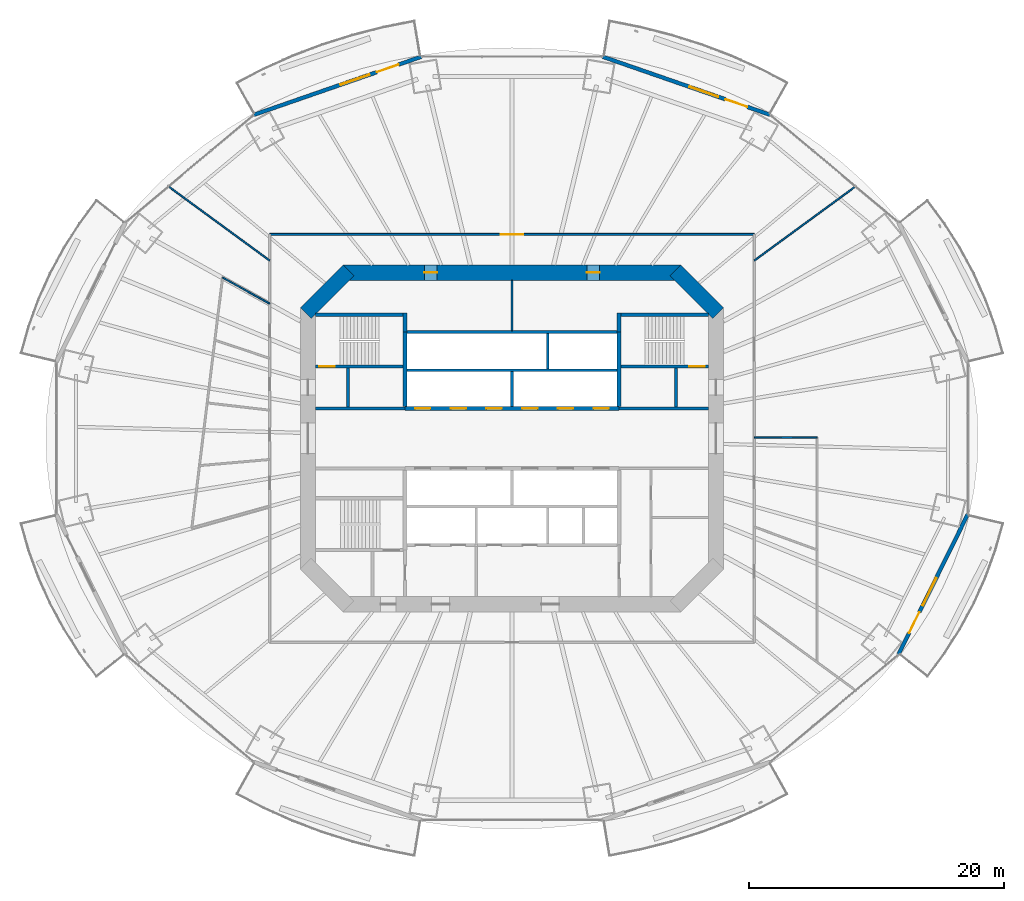
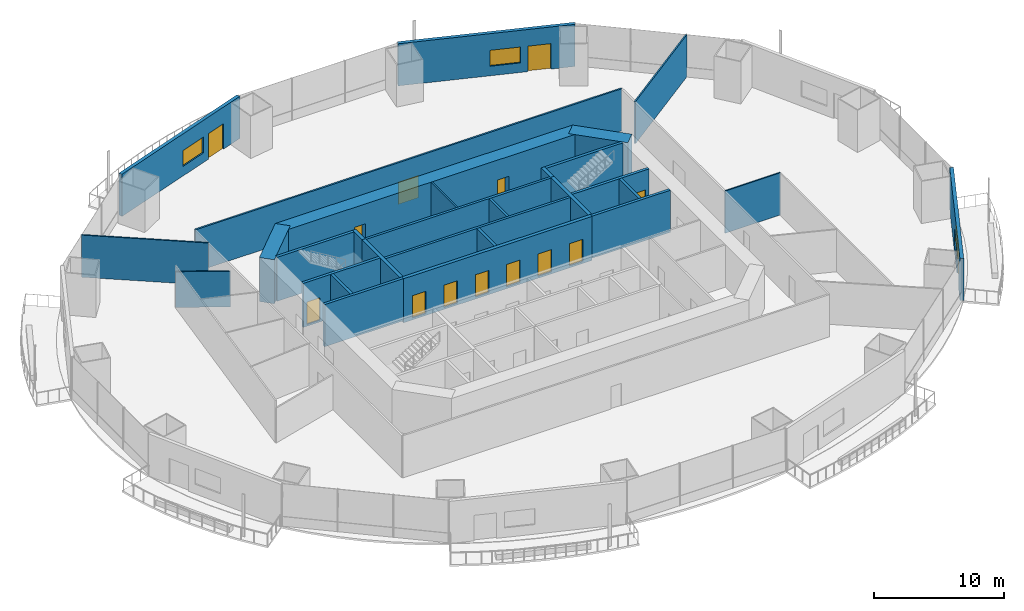
# One storey, part 16 of 23: 29 walls, 14 doors, 3 windows, 17 openings.
"""IFC4 building model written with IfcOpenShell, lengths in metres."""

from ifc_helpers import new_model, si_unit, direction, frame, frame_2d, origin, place, context, subcontext, project, spatial, rectangle, extrude, material, layer, layer_set, type_object, element, fill, save


model = new_model("IFC4")

# Units and contexts
model_context = context("Model", 3, precision=1e-05, world=origin(), true_north=direction((0.0, 1.0)))
body_context = subcontext(model_context, "Body", "Model", "MODEL_VIEW")
ifc_project = project(units=[si_unit("LENGTHUNIT", "METRE"), si_unit("AREAUNIT", "SQUARE_METRE"), si_unit("VOLUMEUNIT", "CUBIC_METRE"), si_unit("PLANEANGLEUNIT", "RADIAN"), si_unit("MASSUNIT", "GRAM", prefix="KILO")], contexts=[model_context])

# Site, building, storey
site_placement = place(None, origin())
site = spatial("IfcSite", under=ifc_project, at=site_placement, CompositionType="ELEMENT")
building_placement = place(site_placement, origin())
building = spatial("IfcBuilding", under=site, at=building_placement, Name="Marenthal Gate Tower", CompositionType="ELEMENT")
storey_placement = place(building_placement, frame((0.0, 0.0, 49.60009765625)))
storey = spatial("IfcBuildingStorey", under=building, at=storey_placement, Name="L08", CompositionType="ELEMENT", Elevation=49.60009765625)

# Wall
ifc_material_1 = material(Name="Concrete 60 MPa", Category="concrete")
ifc_layer_1 = layer(ifc_material_1, 1.199951171875)
ifc_layer_set_1 = layer_set([ifc_layer_1], Name="Core shear wall 1200")
wall_type_1 = type_object("IfcWallType", Name="Core shear wall 1200", PredefinedType="SHEAR", material=ifc_layer_set_1)
wall_1_placement = place(storey_placement, frame((16.17578125, 9.82421875, -0.18017578125), z_axis=(0.0, 0.0, 1.0), x_axis=(-0.707106781187, 0.707106781187, 0.0)))
element("IfcWall", 1, at=wall_1_placement, inside=storey, type_object=wall_type_1, Name="Core wall 03", PredefinedType="SHEAR", context=body_context, shape_type="SweptSolid", body=[
    extrude(rectangle(XDim=4.73974609375, YDim=1.199951171875, at=frame_2d((2.369873046875, 0.0))), origin(), (0.0, 0.0, 1.0), 4.150146484375),
])

# Wall, openings, doors
wall_2_placement = place(storey_placement, frame((13.24853515625, 13.0, -0.18017578125), z_axis=(0.0, 0.0, 1.0), x_axis=(-1.0, 0.0, 0.0)))
wall_2 = element("IfcWall", 2, at=wall_2_placement, inside=storey, type_object=wall_type_1, Name="Core wall 04", PredefinedType="SHEAR", context=body_context, shape_type="SweptSolid", body=[
    extrude(rectangle(XDim=26.4970703125, YDim=1.199951171875, at=frame_2d((13.24853515625, 0.0))), origin(), (0.0, 0.0, 1.0), 4.150146484375),
])
opening_1_placement = place(wall_2_placement, frame((19.12451171875, 0.0, 0.179931640625)))
opening_1 = element("IfcOpeningElement", 3, at=opening_1_placement, cuts=wall_2, Name="Opening D005.01", PredefinedType="OPENING", context=body_context, shape_type="SweptSolid", body=[
    extrude(rectangle(XDim=1.0, YDim=2.10009765625, at=frame_2d((0.5, 1.050048828125))), frame((0.0, 0.60986328125, 0.0), z_axis=(0.0, -1.0, 0.0), x_axis=(1.0, 0.0, 0.0)), (0.0, 0.0, 1.0), 1.219970703125),
])
opening_2_placement = place(wall_2_placement, frame((6.37255859375, 0.0, 0.179931640625)))
opening_2 = element("IfcOpeningElement", 4, at=opening_2_placement, cuts=wall_2, Name="Opening D005.02", PredefinedType="OPENING", context=body_context, shape_type="SweptSolid", body=[
    extrude(rectangle(XDim=1.0, YDim=2.10009765625, at=frame_2d((0.5, 1.050048828125))), frame((0.0, 0.60986328125, 0.0), z_axis=(0.0, -1.0, 0.0), x_axis=(1.0, 0.0, 0.0)), (0.0, 0.0, 1.0), 1.219970703125),
])
ifc_material_2 = material(Name="Steel fire door", Category="steel")
door_type_1 = type_object("IfcDoorType", Name="Fire door FD 45 1000 x 2100", OperationType="NOTDEFINED", PredefinedType="DOOR", material=ifc_material_2)
door_1_placement = place(opening_1_placement, origin())
door_1 = element("IfcDoor", 5, at=door_1_placement, inside=storey, type_object=door_type_1, Name="Door D005.01", OperationType="SINGLE_SWING_RIGHT", OverallHeight=2.10009765625, OverallWidth=1.0, PredefinedType="DOOR", context=body_context, shape_type="SweptSolid", body=[
    extrude(rectangle(XDim=1.0, YDim=2.10009765625, at=frame_2d((0.5, 1.050048828125))), frame((0.0, 0.02490234375, 0.0), z_axis=(0.0, -1.0, 0.0), x_axis=(1.0, 0.0, 0.0)), (0.0, 0.0, 1.0), 0.050048828125),
])
fill(opening_1, door_1)
door_2_placement = place(opening_2_placement, origin())
door_2 = element("IfcDoor", 6, at=door_2_placement, inside=storey, type_object=door_type_1, Name="Door D005.02", OperationType="SINGLE_SWING_RIGHT", OverallHeight=2.10009765625, OverallWidth=1.0, PredefinedType="DOOR", context=body_context, shape_type="SweptSolid", body=[
    extrude(rectangle(XDim=1.0, YDim=2.10009765625, at=frame_2d((0.5, 1.050048828125))), frame((0.0, 0.02490234375, 0.0), z_axis=(0.0, -1.0, 0.0), x_axis=(1.0, 0.0, 0.0)), (0.0, 0.0, 1.0), 0.050048828125),
])
fill(opening_2, door_2)

# Wall
wall_3_placement = place(storey_placement, frame((-12.82421875, 13.17578125, -0.18017578125), z_axis=(0.0, 0.0, 1.0), x_axis=(-0.707106781187, -0.707106781187, 0.0)))
element("IfcWall", 7, at=wall_3_placement, inside=storey, type_object=wall_type_1, Name="Core wall 05", PredefinedType="SHEAR", context=body_context, shape_type="SweptSolid", body=[
    extrude(rectangle(XDim=4.73974609375, YDim=1.199951171875, at=frame_2d((2.369873046875, 0.0))), origin(), (0.0, 0.0, 1.0), 4.150146484375),
])

# Wall, openings, doors
ifc_material_3 = material(Name="Concrete 50 MPa", Category="concrete")
ifc_layer_2 = layer(ifc_material_3, 0.300048828125)
ifc_layer_set_2 = layer_set([ifc_layer_2], Name="Hoistway shear wall 300")
wall_type_2 = type_object("IfcWallType", Name="Hoistway shear wall 300", PredefinedType="SHEAR", material=ifc_layer_set_2)
wall_4_placement = place(storey_placement, frame((-8.39990234375, 2.35009765625, -0.18017578125), z_axis=(0.0, 0.0, 1.0), x_axis=(1.0, 0.0, 0.0)))
wall_4 = element("IfcWall", 8, at=wall_4_placement, inside=storey, type_object=wall_type_2, Name="Hoistway wall 19", PredefinedType="SHEAR", context=body_context, shape_type="SweptSolid", body=[
    extrude(rectangle(XDim=16.7998046875, YDim=0.300048828125, at=frame_2d((8.39990234375, 0.0))), origin(), (0.0, 0.0, 1.0), 4.150146484375),
])
opening_3_placement = place(wall_4_placement, frame((0.800048828125, 0.0, 0.179931640625)))
opening_3 = element("IfcOpeningElement", 9, at=opening_3_placement, cuts=wall_4, Name="Opening LD-LP1", PredefinedType="OPENING", context=body_context, shape_type="SweptSolid", body=[
    extrude(rectangle(XDim=1.199951171875, YDim=2.10009765625, at=frame_2d((0.60009765625, 1.050048828125))), frame((0.0, 0.16015625, 0.0), z_axis=(0.0, -1.0, 0.0), x_axis=(1.0, 0.0, 0.0)), (0.0, 0.0, 1.0), 0.320068359375),
])
opening_4_placement = place(wall_4_placement, frame((3.60009765625, 0.0, 0.179931640625)))
opening_4 = element("IfcOpeningElement", 10, at=opening_4_placement, cuts=wall_4, Name="Opening LD-LP2", PredefinedType="OPENING", context=body_context, shape_type="SweptSolid", body=[
    extrude(rectangle(XDim=1.199951171875, YDim=2.10009765625, at=frame_2d((0.60009765625, 1.050048828125))), frame((0.0, 0.16015625, 0.0), z_axis=(0.0, -1.0, 0.0), x_axis=(1.0, 0.0, 0.0)), (0.0, 0.0, 1.0), 0.320068359375),
])
opening_5_placement = place(wall_4_placement, frame((6.39990234375, 0.0, 0.179931640625)))
opening_5 = element("IfcOpeningElement", 11, at=opening_5_placement, cuts=wall_4, Name="Opening LD-LP3", PredefinedType="OPENING", context=body_context, shape_type="SweptSolid", body=[
    extrude(rectangle(XDim=1.199951171875, YDim=2.10009765625, at=frame_2d((0.60009765625, 1.050048828125))), frame((0.0, 0.16015625, 0.0), z_axis=(0.0, -1.0, 0.0), x_axis=(1.0, 0.0, 0.0)), (0.0, 0.0, 1.0), 0.320068359375),
])
opening_6_placement = place(wall_4_placement, frame((9.199951171875, 0.0, 0.179931640625)))
opening_6 = element("IfcOpeningElement", 12, at=opening_6_placement, cuts=wall_4, Name="Opening LD-LP4", PredefinedType="OPENING", context=body_context, shape_type="SweptSolid", body=[
    extrude(rectangle(XDim=1.199951171875, YDim=2.10009765625, at=frame_2d((0.60009765625, 1.050048828125))), frame((0.0, 0.16015625, 0.0), z_axis=(0.0, -1.0, 0.0), x_axis=(1.0, 0.0, 0.0)), (0.0, 0.0, 1.0), 0.320068359375),
])
opening_7_placement = place(wall_4_placement, frame((12.0, 0.0, 0.179931640625)))
opening_7 = element("IfcOpeningElement", 13, at=opening_7_placement, cuts=wall_4, Name="Opening LD-LP5", PredefinedType="OPENING", context=body_context, shape_type="SweptSolid", body=[
    extrude(rectangle(XDim=1.199951171875, YDim=2.10009765625, at=frame_2d((0.60009765625, 1.050048828125))), frame((0.0, 0.16015625, 0.0), z_axis=(0.0, -1.0, 0.0), x_axis=(1.0, 0.0, 0.0)), (0.0, 0.0, 1.0), 0.320068359375),
])
opening_8_placement = place(wall_4_placement, frame((14.800048828125, 0.0, 0.179931640625)))
opening_8 = element("IfcOpeningElement", 14, at=opening_8_placement, cuts=wall_4, Name="Opening LD-LP6", PredefinedType="OPENING", context=body_context, shape_type="SweptSolid", body=[
    extrude(rectangle(XDim=1.199951171875, YDim=2.10009765625, at=frame_2d((0.60009765625, 1.050048828125))), frame((0.0, 0.16015625, 0.0), z_axis=(0.0, -1.0, 0.0), x_axis=(1.0, 0.0, 0.0)), (0.0, 0.0, 1.0), 0.320068359375),
])
ifc_material_4 = material(Name="Stainless steel sliding door", Category="steel")
door_type_2 = type_object("IfcDoorType", Name="Lift landing door FD 90 1200 x 2100", OperationType="DOUBLE_DOOR_SLIDING", PredefinedType="DOOR", material=ifc_material_4)
door_3_placement = place(opening_3_placement, origin())
door_3 = element("IfcDoor", 15, at=door_3_placement, inside=storey, type_object=door_type_2, Name="Lift landing door LP1", OperationType="DOUBLE_DOOR_SLIDING", OverallHeight=2.10009765625, OverallWidth=1.199951171875, PredefinedType="DOOR", context=body_context, shape_type="SweptSolid", body=[
    extrude(rectangle(XDim=1.199951171875, YDim=2.10009765625, at=frame_2d((0.60009765625, 1.050048828125))), frame((0.0, 0.02490234375, 0.0), z_axis=(0.0, -1.0, 0.0), x_axis=(1.0, 0.0, 0.0)), (0.0, 0.0, 1.0), 0.050048828125),
])
fill(opening_3, door_3)
door_4_placement = place(opening_4_placement, origin())
door_4 = element("IfcDoor", 16, at=door_4_placement, inside=storey, type_object=door_type_2, Name="Lift landing door LP2", OperationType="DOUBLE_DOOR_SLIDING", OverallHeight=2.10009765625, OverallWidth=1.199951171875, PredefinedType="DOOR", context=body_context, shape_type="SweptSolid", body=[
    extrude(rectangle(XDim=1.199951171875, YDim=2.10009765625, at=frame_2d((0.60009765625, 1.050048828125))), frame((0.0, 0.02490234375, 0.0), z_axis=(0.0, -1.0, 0.0), x_axis=(1.0, 0.0, 0.0)), (0.0, 0.0, 1.0), 0.050048828125),
])
fill(opening_4, door_4)
door_5_placement = place(opening_5_placement, origin())
door_5 = element("IfcDoor", 17, at=door_5_placement, inside=storey, type_object=door_type_2, Name="Lift landing door LP3", OperationType="DOUBLE_DOOR_SLIDING", OverallHeight=2.10009765625, OverallWidth=1.199951171875, PredefinedType="DOOR", context=body_context, shape_type="SweptSolid", body=[
    extrude(rectangle(XDim=1.199951171875, YDim=2.10009765625, at=frame_2d((0.60009765625, 1.050048828125))), frame((0.0, 0.02490234375, 0.0), z_axis=(0.0, -1.0, 0.0), x_axis=(1.0, 0.0, 0.0)), (0.0, 0.0, 1.0), 0.050048828125),
])
fill(opening_5, door_5)
door_6_placement = place(opening_6_placement, origin())
door_6 = element("IfcDoor", 18, at=door_6_placement, inside=storey, type_object=door_type_2, Name="Lift landing door LP4", OperationType="DOUBLE_DOOR_SLIDING", OverallHeight=2.10009765625, OverallWidth=1.199951171875, PredefinedType="DOOR", context=body_context, shape_type="SweptSolid", body=[
    extrude(rectangle(XDim=1.199951171875, YDim=2.10009765625, at=frame_2d((0.60009765625, 1.050048828125))), frame((0.0, 0.02490234375, 0.0), z_axis=(0.0, -1.0, 0.0), x_axis=(1.0, 0.0, 0.0)), (0.0, 0.0, 1.0), 0.050048828125),
])
fill(opening_6, door_6)
door_7_placement = place(opening_7_placement, origin())
door_7 = element("IfcDoor", 19, at=door_7_placement, inside=storey, type_object=door_type_2, Name="Lift landing door LP5", OperationType="DOUBLE_DOOR_SLIDING", OverallHeight=2.10009765625, OverallWidth=1.199951171875, PredefinedType="DOOR", context=body_context, shape_type="SweptSolid", body=[
    extrude(rectangle(XDim=1.199951171875, YDim=2.10009765625, at=frame_2d((0.60009765625, 1.050048828125))), frame((0.0, 0.02490234375, 0.0), z_axis=(0.0, -1.0, 0.0), x_axis=(1.0, 0.0, 0.0)), (0.0, 0.0, 1.0), 0.050048828125),
])
fill(opening_7, door_7)
door_8_placement = place(opening_8_placement, origin())
door_8 = element("IfcDoor", 20, at=door_8_placement, inside=storey, type_object=door_type_2, Name="Lift landing door LP6", OperationType="DOUBLE_DOOR_SLIDING", OverallHeight=2.10009765625, OverallWidth=1.199951171875, PredefinedType="DOOR", context=body_context, shape_type="SweptSolid", body=[
    extrude(rectangle(XDim=1.199951171875, YDim=2.10009765625, at=frame_2d((0.60009765625, 1.050048828125))), frame((0.0, 0.02490234375, 0.0), z_axis=(0.0, -1.0, 0.0), x_axis=(1.0, 0.0, 0.0)), (0.0, 0.0, 1.0), 0.050048828125),
])
fill(opening_8, door_8)

# Walls
for number, where, z_axis, x_axis, name in (
    (21, (-8.39990234375, 2.5, -0.18017578125), (0.0, 0.0, 1.0), (0.0, 1.0, 0.0), "Hoistway wall 31"),
    (22, (8.39990234375, 2.5, -0.18017578125), (0.0, 0.0, 1.0), (0.0, 1.0, 0.0), "Hoistway wall 43"),
):
    element("IfcWall", number, at=place(storey_placement, frame(where, z_axis=z_axis, x_axis=x_axis)), inside=storey, type_object=wall_type_2, Name=name, PredefinedType="SHEAR", context=body_context, shape_type="SweptSolid", body=[
        extrude(rectangle(XDim=5.85009765625, YDim=0.300048828125, at=frame_2d((2.925048828125, 0.0))), origin(), (0.0, 0.0, 1.0), 4.150146484375),
    ])
ifc_material_5 = material(Name="Concrete 40 MPa", Category="concrete")
ifc_layer_3 = layer(ifc_material_5, 0.219970703125)
ifc_layer_set_3 = layer_set([ifc_layer_3], Name="Hoistway wall 220")
wall_type_3 = type_object("IfcWallType", Name="Hoistway wall 220", PredefinedType="STANDARD", material=ifc_layer_set_3)
for number, where, z_axis, x_axis, name in (
    (23, (-8.25, 5.35009765625, 0.0), (0.0, 0.0, 1.0), (1.0, 0.0, 0.0), "Hoistway wall 21"),
    (24, (-8.25, 8.35009765625, 0.0), (0.0, 0.0, 1.0), (1.0, 0.0, 0.0), "Hoistway wall 24"),
):
    element("IfcWall", number, at=place(storey_placement, frame(where, z_axis=z_axis, x_axis=x_axis)), inside=storey, type_object=wall_type_3, Name=name, PredefinedType="STANDARD", context=body_context, shape_type="SweptSolid", body=[
        extrude(rectangle(XDim=16.5, YDim=0.219970703125, at=frame_2d((8.25, 0.0))), origin(), (0.0, 0.0, 1.0), 3.969970703125),
    ])
wall_5_placement = place(storey_placement, frame((0.0, 2.5, 0.0), z_axis=(0.0, 0.0, 1.0), x_axis=(0.0, 1.0, 0.0)))
element("IfcWall", 25, at=wall_5_placement, inside=storey, type_object=wall_type_3, Name="Hoistway wall 36", PredefinedType="STANDARD", context=body_context, shape_type="SweptSolid", body=[
    extrude(rectangle(XDim=2.739990234375, YDim=0.219970703125, at=frame_2d((1.3701171875, 0.0))), origin(), (0.0, 0.0, 1.0), 3.969970703125),
])
wall_6_placement = place(storey_placement, frame((2.800048828125, 5.4599609375, 0.0), z_axis=(0.0, 0.0, 1.0), x_axis=(0.0, 1.0, 0.0)))
element("IfcWall", 26, at=wall_6_placement, inside=storey, type_object=wall_type_3, Name="Hoistway wall 39", PredefinedType="STANDARD", context=body_context, shape_type="SweptSolid", body=[
    extrude(rectangle(XDim=2.780029296875, YDim=0.219970703125, at=frame_2d((1.39013671875, 0.0))), origin(), (0.0, 0.0, 1.0), 3.969970703125),
])
ifc_material_6 = material(Name="Gypsum board on steel studs", Category="steel")
ifc_layer_4 = layer(ifc_material_6, 0.1201171875)
ifc_layer_set_4 = layer_set([ifc_layer_4], Name="Partition 120")
wall_type_4 = type_object("IfcWallType", Name="Partition 120", PredefinedType="PARTITIONING", material=ifc_layer_set_4)
wall_7_placement = place(storey_placement, frame((-22.6953125, 12.618896484375, 0.0), z_axis=(0.0, 0.0, 1.0), x_axis=(0.87398290434, -0.485956667741, 0.0)))
element("IfcWall", 27, at=wall_7_placement, inside=storey, type_object=wall_type_4, Name="Partition wall 51", PredefinedType="PARTITIONING", context=body_context, shape_type="SweptSolid", body=[
    extrude(rectangle(XDim=4.22802734375, YDim=0.1201171875, at=frame_2d((2.114013671875, 0.0))), origin(), (0.0, 0.0, 1.0), 3.35791015625),
])
wall_8_placement = place(storey_placement, frame((-19.0, 13.941162109375, 0.0), z_axis=(0.0, 0.0, 1.0), x_axis=(-0.806231534746, 0.591600128787, 0.0)))
element("IfcWall", 28, at=wall_8_placement, inside=storey, type_object=wall_type_4, Name="Partition wall 54", PredefinedType="PARTITIONING", context=body_context, shape_type="SweptSolid", body=[
    extrude(rectangle(XDim=9.84619140625, YDim=0.1201171875, at=frame_2d((4.923095703125, 0.0))), origin(), (0.0, 0.0, 1.0), 3.969970703125),
])
wall_9_placement = place(storey_placement, frame((19.0, 13.94140625, 0.0), z_axis=(0.0, 0.0, 1.0), x_axis=(0.806243361472, 0.59158401101, 0.0)))
element("IfcWall", 29, at=wall_9_placement, inside=storey, type_object=wall_type_4, Name="Partition wall 58", PredefinedType="PARTITIONING", context=body_context, shape_type="SweptSolid", body=[
    extrude(rectangle(XDim=9.845947265625, YDim=0.1201171875, at=frame_2d((4.9228515625, 0.0))), origin(), (0.0, 0.0, 1.0), 3.969970703125),
])
wall_10_placement = place(storey_placement, frame((23.921630859375, 0.078125, 0.0), z_axis=(0.0, 0.0, 1.0), x_axis=(-0.999994640597, -0.003273954377, 0.0)))
element("IfcWall", 30, at=wall_10_placement, inside=storey, type_object=wall_type_4, Name="Partition wall 62", PredefinedType="PARTITIONING", context=body_context, shape_type="SweptSolid", body=[
    extrude(rectangle(XDim=4.921630859375, YDim=0.1201171875, at=frame_2d((2.4609375, 0.0))), origin(), (0.0, 0.0, 1.0), 3.969970703125),
])
ifc_material_7 = material(Name="Gypsum board on steel studs", Category="steel")
ifc_layer_5 = layer(ifc_material_7, 0.14990234375)
ifc_layer_set_5 = layer_set([ifc_layer_5], Name="Partition 150")
wall_type_5 = type_object("IfcWallType", Name="Partition 150", PredefinedType="PARTITIONING", material=ifc_layer_set_5)
wall_11_placement = place(storey_placement, frame((0.0, 8.4599609375, 0.0), z_axis=(0.0, 0.0, 1.0), x_axis=(0.0, 1.0, 0.0)))
element("IfcWall", 31, at=wall_11_placement, inside=storey, type_object=wall_type_5, Name="Partition wall 37", PredefinedType="PARTITIONING", context=body_context, shape_type="SweptSolid", body=[
    extrude(rectangle(XDim=3.93994140625, YDim=0.14990234375, at=frame_2d((1.969970703125, 0.0))), origin(), (0.0, 0.0, 1.0), 3.969970703125),
])

# Wall, opening, door
wall_12_placement = place(storey_placement, frame((-19.0, 16.0, 0.0), z_axis=(0.0, 0.0, 1.0), x_axis=(1.0, 0.0, 0.0)))
wall_12 = element("IfcWall", 32, at=wall_12_placement, inside=storey, type_object=wall_type_5, Name="Partition wall 55", PredefinedType="PARTITIONING", context=body_context, shape_type="SweptSolid", body=[
    extrude(rectangle(XDim=38.0, YDim=0.14990234375, at=frame_2d((19.0, 0.0))), origin(), (0.0, 0.0, 1.0), 3.969970703125),
])
opening_9_placement = place(wall_12_placement, frame((18.10009765625, 0.0, 0.0)))
opening_9 = element("IfcOpeningElement", 33, at=opening_9_placement, cuts=wall_12, Name="Opening D014.01", PredefinedType="OPENING", context=body_context, shape_type="SweptSolid", body=[
    extrude(rectangle(XDim=1.800048828125, YDim=2.10009765625, at=frame_2d((0.89990234375, 1.050048828125))), frame((0.0, 0.0849609375, 0.0), z_axis=(0.0, -1.0, 0.0), x_axis=(1.0, 0.0, 0.0)), (0.0, 0.0, 1.0), 0.169921875),
])
ifc_material_8 = material(Name="Timber door", Category="wood")
door_type_3 = type_object("IfcDoorType", Name="Double door 1800 x 2100", OperationType="DOUBLE_DOOR_SINGLE_SWING", PredefinedType="DOOR", material=ifc_material_8)
door_9_placement = place(opening_9_placement, origin())
door_9 = element("IfcDoor", 34, at=door_9_placement, inside=storey, type_object=door_type_3, Name="Door D014.01", OperationType="DOUBLE_DOOR_SINGLE_SWING", OverallHeight=2.10009765625, OverallWidth=1.800048828125, PredefinedType="DOOR", context=body_context, shape_type="SweptSolid", body=[
    extrude(rectangle(XDim=1.800048828125, YDim=2.10009765625, at=frame_2d((0.89990234375, 1.050048828125))), frame((0.0, 0.02490234375, 0.0), z_axis=(0.0, -1.0, 0.0), x_axis=(1.0, 0.0, 0.0)), (0.0, 0.0, 1.0), 0.050048828125),
])
fill(opening_9, door_9)

# Walls
ifc_material_9 = material(Name="Concrete 40 MPa", Category="concrete")
ifc_layer_6 = layer(ifc_material_9, 0.25)
ifc_layer_set_6 = layer_set([ifc_layer_6], Name="Stair enclosure wall 250")
wall_type_6 = type_object("IfcWallType", Name="Stair enclosure wall 250", PredefinedType="STANDARD", material=ifc_layer_set_6)
for number, where, z_axis, x_axis, name in (
    (35, (-15.39990234375, 2.35009765625, 0.0), (0.0, 0.0, 1.0), (1.0, 0.0, 0.0), "Stair wall 18"),
    (36, (8.39990234375, 2.35009765625, 0.0), (0.0, 0.0, 1.0), (1.0, 0.0, 0.0), "Stair wall 20"),
):
    element("IfcWall", number, at=place(storey_placement, frame(where, z_axis=z_axis, x_axis=x_axis)), inside=storey, type_object=wall_type_6, Name=name, PredefinedType="STANDARD", context=body_context, shape_type="SweptSolid", body=[
        extrude(rectangle(XDim=7.0, YDim=0.25, at=frame_2d((3.5, 0.0))), origin(), (0.0, 0.0, 1.0), 3.969970703125),
    ])
for number, where, z_axis, x_axis, name in (
    (37, (-12.85009765625, 2.47509765625, 0.0), (0.0, 0.0, 1.0), (0.0, 1.0, 0.0), "Stair wall 27"),
    (38, (12.85009765625, 2.47509765625, 0.0), (0.0, 0.0, 1.0), (0.0, 1.0, 0.0), "Stair wall 46"),
):
    element("IfcWall", number, at=place(storey_placement, frame(where, z_axis=z_axis, x_axis=x_axis)), inside=storey, type_object=wall_type_6, Name=name, PredefinedType="STANDARD", context=body_context, shape_type="SweptSolid", body=[
        extrude(rectangle(XDim=3.0498046875, YDim=0.25, at=frame_2d((1.52490234375, 0.0))), origin(), (0.0, 0.0, 1.0), 3.969970703125),
    ])

# Wall, opening, door
ifc_material_10 = material(Name="Concrete 50 MPa", Category="concrete")
ifc_layer_7 = layer(ifc_material_10, 0.25)
ifc_layer_set_7 = layer_set([ifc_layer_7], Name="Stair shear wall 250")
wall_type_7 = type_object("IfcWallType", Name="Stair shear wall 250", PredefinedType="SHEAR", material=ifc_layer_set_7)
wall_13_placement = place(storey_placement, frame((-15.39990234375, 5.64990234375, -0.18017578125), z_axis=(0.0, 0.0, 1.0), x_axis=(1.0, 0.0, 0.0)))
wall_13 = element("IfcWall", 39, at=wall_13_placement, inside=storey, type_object=wall_type_7, Name="Stair wall 22", PredefinedType="SHEAR", context=body_context, shape_type="SweptSolid", body=[
    extrude(rectangle(XDim=6.849853515625, YDim=0.25, at=frame_2d((3.4248046875, 0.0))), origin(), (0.0, 0.0, 1.0), 4.150146484375),
])
opening_10_placement = place(wall_13_placement, frame((0.300048828125, 0.0, 0.179931640625)))
opening_10 = element("IfcOpeningElement", 40, at=opening_10_placement, cuts=wall_13, Name="Opening D001.01", PredefinedType="OPENING", context=body_context, shape_type="SweptSolid", body=[
    extrude(rectangle(XDim=1.199951171875, YDim=2.10009765625, at=frame_2d((0.60009765625, 1.050048828125))), frame((0.0, 0.135009765625, 0.0), z_axis=(0.0, -1.0, 0.0), x_axis=(1.0, 0.0, 0.0)), (0.0, 0.0, 1.0), 0.27001953125),
])
ifc_material_11 = material(Name="Steel fire door", Category="steel")
door_type_4 = type_object("IfcDoorType", Name="Fire door FD 90 1200 x 2100", OperationType="NOTDEFINED", PredefinedType="DOOR", material=ifc_material_11)
door_10_placement = place(opening_10_placement, origin())
door_10 = element("IfcDoor", 41, at=door_10_placement, inside=storey, type_object=door_type_4, Name="Door D001.01", OperationType="SINGLE_SWING_RIGHT", OverallHeight=2.10009765625, OverallWidth=1.199951171875, PredefinedType="DOOR", context=body_context, shape_type="SweptSolid", body=[
    extrude(rectangle(XDim=1.199951171875, YDim=2.10009765625, at=frame_2d((0.60009765625, 1.050048828125))), frame((0.0, 0.02490234375, 0.0), z_axis=(0.0, -1.0, 0.0), x_axis=(1.0, 0.0, 0.0)), (0.0, 0.0, 1.0), 0.050048828125),
])
fill(opening_10, door_10)

wall_14_placement = place(storey_placement, frame((8.550048828125, 5.64990234375, -0.18017578125), z_axis=(0.0, 0.0, 1.0), x_axis=(1.0, 0.0, 0.0)))
wall_14 = element("IfcWall", 42, at=wall_14_placement, inside=storey, type_object=wall_type_7, Name="Stair wall 23", PredefinedType="SHEAR", context=body_context, shape_type="SweptSolid", body=[
    extrude(rectangle(XDim=6.849853515625, YDim=0.25, at=frame_2d((3.4248046875, 0.0))), origin(), (0.0, 0.0, 1.0), 4.150146484375),
])
opening_11_placement = place(wall_14_placement, frame((5.35009765625, 0.0, 0.179931640625)))
opening_11 = element("IfcOpeningElement", 43, at=opening_11_placement, cuts=wall_14, Name="Opening D001.02", PredefinedType="OPENING", context=body_context, shape_type="SweptSolid", body=[
    extrude(rectangle(XDim=1.199951171875, YDim=2.10009765625, at=frame_2d((0.60009765625, 1.050048828125))), frame((0.0, 0.135009765625, 0.0), z_axis=(0.0, -1.0, 0.0), x_axis=(1.0, 0.0, 0.0)), (0.0, 0.0, 1.0), 0.27001953125),
])
door_11_placement = place(opening_11_placement, origin())
door_11 = element("IfcDoor", 44, at=door_11_placement, inside=storey, type_object=door_type_4, Name="Door D001.02", OperationType="SINGLE_SWING_RIGHT", OverallHeight=2.10009765625, OverallWidth=1.199951171875, PredefinedType="DOOR", context=body_context, shape_type="SweptSolid", body=[
    extrude(rectangle(XDim=1.199951171875, YDim=2.10009765625, at=frame_2d((0.60009765625, 1.050048828125))), frame((0.0, 0.02490234375, 0.0), z_axis=(0.0, -1.0, 0.0), x_axis=(1.0, 0.0, 0.0)), (0.0, 0.0, 1.0), 0.050048828125),
])
fill(opening_11, door_11)

# Walls
for number, where, z_axis, x_axis, name in (
    (45, (-15.39990234375, 9.699951171875, -0.18017578125), (0.0, 0.0, 1.0), (1.0, 0.0, 0.0), "Stair wall 25"),
    (46, (8.550048828125, 9.699951171875, -0.18017578125), (0.0, 0.0, 1.0), (1.0, 0.0, 0.0), "Stair wall 26"),
):
    element("IfcWall", number, at=place(storey_placement, frame(where, z_axis=z_axis, x_axis=x_axis)), inside=storey, type_object=wall_type_7, Name=name, PredefinedType="SHEAR", context=body_context, shape_type="SweptSolid", body=[
        extrude(rectangle(XDim=6.849853515625, YDim=0.25, at=frame_2d((3.4248046875, 0.0))), origin(), (0.0, 0.0, 1.0), 4.150146484375),
    ])
ifc_material_12 = material(Name="Concrete 50 MPa", Category="concrete")
ifc_layer_8 = layer(ifc_material_12, 0.300048828125)
ifc_layer_set_8 = layer_set([ifc_layer_8], Name="Stair shear wall 300")
wall_type_8 = type_object("IfcWallType", Name="Stair shear wall 300", PredefinedType="SHEAR", material=ifc_layer_set_8)
for number, where, z_axis, x_axis, name in (
    (47, (-8.39990234375, 8.35009765625, -0.18017578125), (0.0, 0.0, 1.0), (0.0, 1.0, 0.0), "Stair wall 32"),
    (48, (8.39990234375, 8.35009765625, -0.18017578125), (0.0, 0.0, 1.0), (0.0, 1.0, 0.0), "Stair wall 44"),
):
    element("IfcWall", number, at=place(storey_placement, frame(where, z_axis=z_axis, x_axis=x_axis)), inside=storey, type_object=wall_type_8, Name=name, PredefinedType="SHEAR", context=body_context, shape_type="SweptSolid", body=[
        extrude(rectangle(XDim=1.474853515625, YDim=0.300048828125, at=frame_2d((0.7373046875, 0.0))), origin(), (0.0, 0.0, 1.0), 4.150146484375),
    ])

# Wall, openings, door, window
ifc_material_13 = material(Name="Terracotta cladding on insulated concrete-block backing", Category="masonry")
ifc_layer_9 = layer(ifc_material_13, 0.300048828125)
ifc_layer_set_9 = layer_set([ifc_layer_9], Name="Terracotta facade wall 300")
wall_type_9 = type_object("IfcWallType", Name="Terracotta facade wall 300", PredefinedType="SOLIDWALL", material=ifc_layer_set_9)
wall_15_placement = place(storey_placement, frame((20.243896484375, 25.372314453125, 0.0), z_axis=(0.0, 0.0, 1.0), x_axis=(-0.944772924092, 0.327725680873, 0.0)))
wall_15 = element("IfcWall", 49, at=wall_15_placement, inside=storey, type_object=wall_type_9, Name="Terracotta facade wall L08 bay 3", PredefinedType="SOLIDWALL", context=body_context, shape_type="SweptSolid", body=[
    extrude(rectangle(XDim=13.903076171875, YDim=0.300048828125, at=frame_2d((6.95166015625, 0.0))), origin(), (0.0, 0.0, 1.0), 3.969970703125),
])
opening_12_placement = place(wall_15_placement, frame((1.89990234375, 0.0, 0.0)))
opening_12 = element("IfcOpeningElement", 50, at=opening_12_placement, cuts=wall_15, Name="Opening BD-L08-03", PredefinedType="OPENING", context=body_context, shape_type="SweptSolid", body=[
    extrude(rectangle(XDim=1.800048828125, YDim=2.39990234375, at=frame_2d((0.89990234375, 1.199951171875))), frame((0.0, 0.16015625, 0.0), z_axis=(0.0, -1.0, 0.0), x_axis=(1.0, 0.0, 0.0)), (0.0, 0.0, 1.0), 0.320068359375),
])
opening_13_placement = place(wall_15_placement, frame((4.300048828125, 0.0, 0.89990234375)))
opening_13 = element("IfcOpeningElement", 51, at=opening_13_placement, cuts=wall_15, Name="Opening WN1-L08-03", PredefinedType="OPENING", context=body_context, shape_type="SweptSolid", body=[
    extrude(rectangle(XDim=2.39990234375, YDim=1.5, at=frame_2d((1.199951171875, 0.75))), frame((0.0, 0.16015625, 0.0), z_axis=(0.0, -1.0, 0.0), x_axis=(1.0, 0.0, 0.0)), (0.0, 0.0, 1.0), 0.320068359375),
])
ifc_material_14 = material(Name="Aluminium and glass", Category="aluminium")
door_type_5 = type_object("IfcDoorType", Name="Balcony door 1800x2400", OperationType="DOUBLE_DOOR_SINGLE_SWING", PredefinedType="DOOR", material=ifc_material_14)
door_12_placement = place(opening_12_placement, origin())
door_12 = element("IfcDoor", 52, at=door_12_placement, inside=storey, type_object=door_type_5, Name="Balcony door L08 bay 3", OperationType="SINGLE_SWING_LEFT", OverallHeight=2.39990234375, OverallWidth=1.800048828125, PredefinedType="DOOR", context=body_context, shape_type="SweptSolid", body=[
    extrude(rectangle(XDim=1.800048828125, YDim=2.39990234375, at=frame_2d((0.89990234375, 1.199951171875))), frame((0.0, 0.02490234375, 0.0), z_axis=(0.0, -1.0, 0.0), x_axis=(1.0, 0.0, 0.0)), (0.0, 0.0, 1.0), 0.050048828125),
])
fill(opening_12, door_12)
ifc_material_15 = material(Name="Aluminium and glass", Category="aluminium")
window_type = type_object("IfcWindowType", Name="Window 2400x1500", PartitioningType="TRIPLE_PANEL_VERTICAL", PredefinedType="WINDOW", material=ifc_material_15)
window_1_placement = place(opening_13_placement, origin())
window_1 = element("IfcWindow", 53, at=window_1_placement, inside=storey, type_object=window_type, Name="Window L08 bay 3", OverallHeight=1.5, OverallWidth=2.39990234375, PartitioningType="SINGLE_PANEL", PredefinedType="WINDOW", context=body_context, shape_type="SweptSolid", body=[
    extrude(rectangle(XDim=2.39990234375, YDim=1.5, at=frame_2d((1.199951171875, 0.75))), frame((0.0, 0.030029296875, 0.0), z_axis=(0.0, -1.0, 0.0), x_axis=(1.0, 0.0, 0.0)), (0.0, 0.0, 1.0), 0.06005859375),
])
fill(opening_13, window_1)

wall_16_placement = place(storey_placement, frame((-7.108642578125, 29.9287109375, 0.0), z_axis=(0.0, 0.0, 1.0), x_axis=(-0.944772924092, -0.327725680873, 0.0)))
wall_16 = element("IfcWall", 54, at=wall_16_placement, inside=storey, type_object=wall_type_9, Name="Terracotta facade wall L08 bay 5", PredefinedType="SOLIDWALL", context=body_context, shape_type="SweptSolid", body=[
    extrude(rectangle(XDim=13.903076171875, YDim=0.300048828125, at=frame_2d((6.95166015625, 0.0))), origin(), (0.0, 0.0, 1.0), 3.969970703125),
])
opening_14_placement = place(wall_16_placement, frame((1.89990234375, 0.0, 0.0)))
opening_14 = element("IfcOpeningElement", 55, at=opening_14_placement, cuts=wall_16, Name="Opening BD-L08-05", PredefinedType="OPENING", context=body_context, shape_type="SweptSolid", body=[
    extrude(rectangle(XDim=1.800048828125, YDim=2.39990234375, at=frame_2d((0.89990234375, 1.199951171875))), frame((0.0, 0.16015625, 0.0), z_axis=(0.0, -1.0, 0.0), x_axis=(1.0, 0.0, 0.0)), (0.0, 0.0, 1.0), 0.320068359375),
])
opening_15_placement = place(wall_16_placement, frame((4.300048828125, 0.0, 0.89990234375)))
opening_15 = element("IfcOpeningElement", 56, at=opening_15_placement, cuts=wall_16, Name="Opening WN1-L08-05", PredefinedType="OPENING", context=body_context, shape_type="SweptSolid", body=[
    extrude(rectangle(XDim=2.39990234375, YDim=1.5, at=frame_2d((1.199951171875, 0.75))), frame((0.0, 0.16015625, 0.0), z_axis=(0.0, -1.0, 0.0), x_axis=(1.0, 0.0, 0.0)), (0.0, 0.0, 1.0), 0.320068359375),
])
door_13_placement = place(opening_14_placement, origin())
door_13 = element("IfcDoor", 57, at=door_13_placement, inside=storey, type_object=door_type_5, Name="Balcony door L08 bay 5", OperationType="SINGLE_SWING_LEFT", OverallHeight=2.39990234375, OverallWidth=1.800048828125, PredefinedType="DOOR", context=body_context, shape_type="SweptSolid", body=[
    extrude(rectangle(XDim=1.800048828125, YDim=2.39990234375, at=frame_2d((0.89990234375, 1.199951171875))), frame((0.0, 0.02490234375, 0.0), z_axis=(0.0, -1.0, 0.0), x_axis=(1.0, 0.0, 0.0)), (0.0, 0.0, 1.0), 0.050048828125),
])
fill(opening_14, door_13)
window_2_placement = place(opening_15_placement, origin())
window_2 = element("IfcWindow", 58, at=window_2_placement, inside=storey, type_object=window_type, Name="Window L08 bay 5", OverallHeight=1.5, OverallWidth=2.39990234375, PartitioningType="SINGLE_PANEL", PredefinedType="WINDOW", context=body_context, shape_type="SweptSolid", body=[
    extrude(rectangle(XDim=2.39990234375, YDim=1.5, at=frame_2d((1.199951171875, 0.75))), frame((0.0, 0.030029296875, 0.0), z_axis=(0.0, -1.0, 0.0), x_axis=(1.0, 0.0, 0.0)), (0.0, 0.0, 1.0), 0.06005859375),
])
fill(opening_15, window_2)

wall_17_placement = place(storey_placement, frame((30.297119140625, -16.953125, 0.0), z_axis=(0.0, 0.0, 1.0), x_axis=(0.443341984676, 0.89635254483, 0.0)))
wall_17 = element("IfcWall", 59, at=wall_17_placement, inside=storey, type_object=wall_type_9, Name="Terracotta facade wall L08 bay 15", PredefinedType="SOLIDWALL", context=body_context, shape_type="SweptSolid", body=[
    extrude(rectangle(XDim=12.27197265625, YDim=0.300048828125, at=frame_2d((6.135986328125, 0.0))), origin(), (0.0, 0.0, 1.0), 3.969970703125),
])
opening_16_placement = place(wall_17_placement, frame((1.89990234375, 0.0, 0.0)))
opening_16 = element("IfcOpeningElement", 60, at=opening_16_placement, cuts=wall_17, Name="Opening BD-L08-15", PredefinedType="OPENING", context=body_context, shape_type="SweptSolid", body=[
    extrude(rectangle(XDim=1.800048828125, YDim=2.39990234375, at=frame_2d((0.89990234375, 1.199951171875))), frame((0.0, 0.16015625, 0.0), z_axis=(0.0, -1.0, 0.0), x_axis=(1.0, 0.0, 0.0)), (0.0, 0.0, 1.0), 0.320068359375),
])
opening_17_placement = place(wall_17_placement, frame((4.300048828125, 0.0, 0.89990234375)))
opening_17 = element("IfcOpeningElement", 61, at=opening_17_placement, cuts=wall_17, Name="Opening WN1-L08-15", PredefinedType="OPENING", context=body_context, shape_type="SweptSolid", body=[
    extrude(rectangle(XDim=2.39990234375, YDim=1.5, at=frame_2d((1.199951171875, 0.75))), frame((0.0, 0.16015625, 0.0), z_axis=(0.0, -1.0, 0.0), x_axis=(1.0, 0.0, 0.0)), (0.0, 0.0, 1.0), 0.320068359375),
])
door_14_placement = place(opening_16_placement, origin())
door_14 = element("IfcDoor", 62, at=door_14_placement, inside=storey, type_object=door_type_5, Name="Balcony door L08 bay 15", OperationType="SINGLE_SWING_LEFT", OverallHeight=2.39990234375, OverallWidth=1.800048828125, PredefinedType="DOOR", context=body_context, shape_type="SweptSolid", body=[
    extrude(rectangle(XDim=1.800048828125, YDim=2.39990234375, at=frame_2d((0.89990234375, 1.199951171875))), frame((0.0, 0.02490234375, 0.0), z_axis=(0.0, -1.0, 0.0), x_axis=(1.0, 0.0, 0.0)), (0.0, 0.0, 1.0), 0.050048828125),
])
fill(opening_16, door_14)
window_3_placement = place(opening_17_placement, origin())
window_3 = element("IfcWindow", 63, at=window_3_placement, inside=storey, type_object=window_type, Name="Window L08 bay 15", OverallHeight=1.5, OverallWidth=2.39990234375, PartitioningType="SINGLE_PANEL", PredefinedType="WINDOW", context=body_context, shape_type="SweptSolid", body=[
    extrude(rectangle(XDim=2.39990234375, YDim=1.5, at=frame_2d((1.199951171875, 0.75))), frame((0.0, 0.030029296875, 0.0), z_axis=(0.0, -1.0, 0.0), x_axis=(1.0, 0.0, 0.0)), (0.0, 0.0, 1.0), 0.06005859375),
])
fill(opening_17, window_3)

save(model, "model.ifc")
